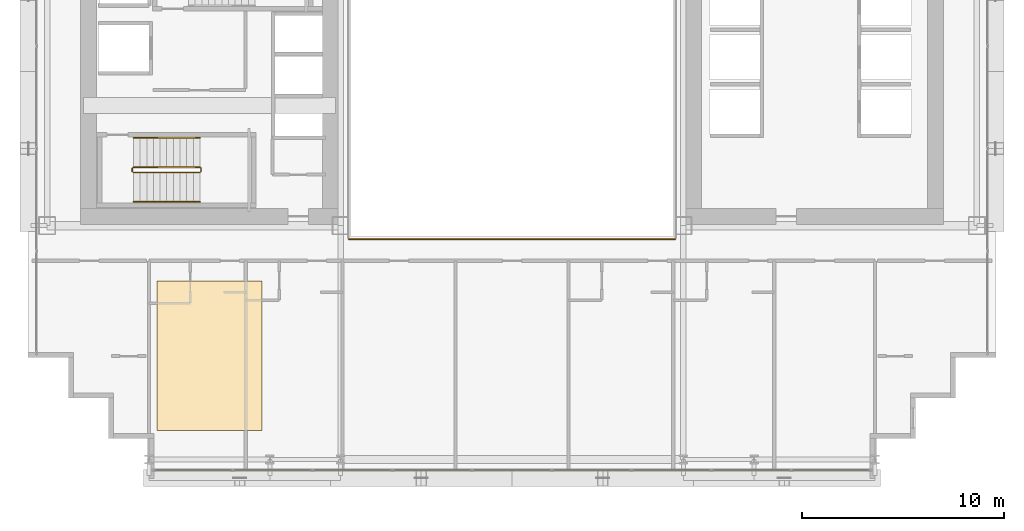
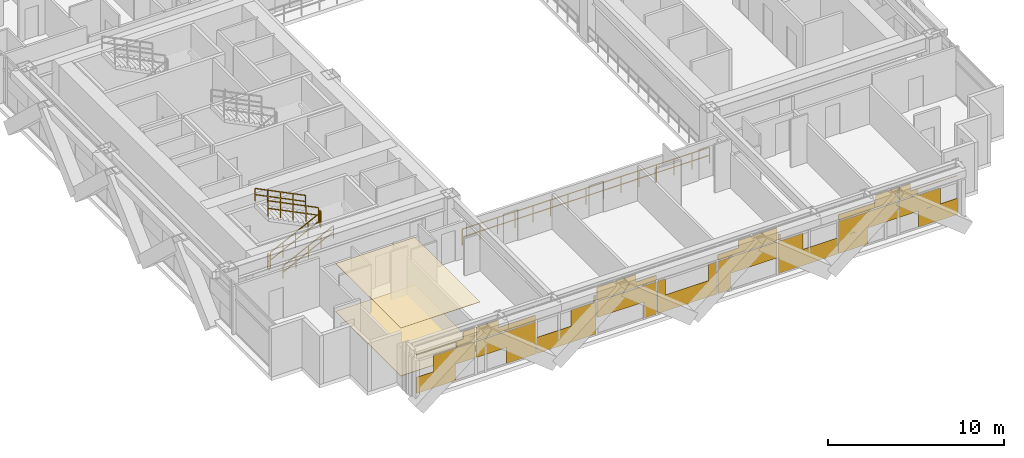
# One storey, part 32 of 35: 7 railings, 3 coverings.
"""IFC4 building model written with IfcOpenShell, lengths in metres."""

import ifcopenshell
import ifcopenshell.guid

model = None  # the IFC model being written
_history = None  # IfcOwnerHistory: only IFC2X3 demands one
_inside = {}  # id of a spatial element -> (the spatial element, [elements in it])
_under = {}  # id of a project, library or spatial element -> (it, [spatial elements below it])
_declared = {}  # id of a project -> (the project, [libraries it declares])
_typed = {}  # id of a type object -> (the type object, [elements of that type])
_made_of = {}  # id of a material, layer set ... -> (it, [elements and type objects made of it])


def new_model(schema):
    """Start an empty IFC model of exactly this schema.

    Asked for "IFC4X3", IfcOpenShell would pick the latest addendum, in which some entities
    have other attributes; the version numbers below select the first issue.
    IFC2X3 requires an IfcOwnerHistory on every rooted entity: one is made here for all.
    """
    global model, _history
    if schema == "IFC4X3":
        model = ifcopenshell.file(schema_version=(4, 3, 0, 0))
    else:
        model = ifcopenshell.file(schema=schema)
    _inside.clear()
    _under.clear()
    _declared.clear()
    _typed.clear()
    _made_of.clear()
    _history = None
    if model.schema == "IFC2X3":
        org = make("IfcOrganization", Name="unknown")
        user = make(
            "IfcPersonAndOrganization",
            ThePerson=make("IfcPerson", FamilyName="unknown"),
            TheOrganization=org,
        )
        app = make(
            "IfcApplication",
            ApplicationDeveloper=org,
            Version="unknown",
            ApplicationFullName="unknown",
            ApplicationIdentifier="unknown",
        )
        _history = make(
            "IfcOwnerHistory",
            OwningUser=user,
            OwningApplication=app,
            ChangeAction="ADDED",
            CreationDate=0,
        )
    return model


def make(cls, **values):
    """One entity of the class cls with the attributes given. An attribute that is None is left unset."""
    return model.create_entity(
        cls, **{name: value for name, value in values.items() if value is not None}
    )


def rooted(cls, **values):
    """An entity with a GlobalId (a new one), such as an element, a storey or a relation."""
    return make(cls, GlobalId=ifcopenshell.guid.new(), OwnerHistory=_history, **values)


def si_unit(unit_type, name, prefix=None):
    """IfcSIUnit, for example si_unit("LENGTHUNIT", "METRE", prefix="MILLI")."""
    return make("IfcSIUnit", UnitType=unit_type, Prefix=prefix, Name=name)


def assignment(units):
    """IfcUnitAssignment: the units of a project."""
    return None if units is None else make("IfcUnitAssignment", Units=units)


def point(xyz):
    """IfcCartesianPoint."""
    return None if xyz is None else make("IfcCartesianPoint", Coordinates=xyz)


def direction(xyz):
    """IfcDirection."""
    return None if xyz is None else make("IfcDirection", DirectionRatios=xyz)


def frame(location, z_axis=None, x_axis=None):
    """IfcAxis2Placement3D, a coordinate frame: its origin and axes. An axis left out is left unset."""
    return make(
        "IfcAxis2Placement3D",
        Location=point(location),
        Axis=direction(z_axis),
        RefDirection=direction(x_axis),
    )


def frame_2d(location, x_axis=None):
    """IfcAxis2Placement2D, a coordinate frame in the plane: its origin and x axis."""
    return make(
        "IfcAxis2Placement2D", Location=point(location), RefDirection=direction(x_axis)
    )


def origin():
    """The frame at (0, 0, 0) with its axes left unset."""
    return frame((0.0, 0.0, 0.0))


def origin_2d():
    """The frame at (0, 0) in the plane with its x axis left unset."""
    return frame_2d((0.0, 0.0))


def place(relative_to, where):
    """IfcLocalPlacement: puts the frame where relative to a parent placement (None: the world)."""
    return make(
        "IfcLocalPlacement", PlacementRelTo=relative_to, RelativePlacement=where
    )


def context(
    kind, dimensions, precision=None, world=None, true_north=None, identifier=None
):
    """IfcGeometricRepresentationContext, for example the 3D "Model" context."""
    return make(
        "IfcGeometricRepresentationContext",
        ContextIdentifier=identifier,
        ContextType=kind,
        CoordinateSpaceDimension=dimensions,
        Precision=precision,
        WorldCoordinateSystem=world,
        TrueNorth=true_north,
    )


def subcontext(parent, identifier, kind, view, scale=None):
    """IfcGeometricRepresentationSubContext, for example "Body" below "Model"."""
    return make(
        "IfcGeometricRepresentationSubContext",
        ContextIdentifier=identifier,
        ContextType=kind,
        ParentContext=parent,
        TargetScale=scale,
        TargetView=view,
    )


def project(units=None, contexts=None):
    """IfcProject with its units and contexts."""
    return rooted(
        "IfcProject",
        Name="project",
        RepresentationContexts=contexts,
        UnitsInContext=assignment(units),
    )


def spatial(cls, under=None, at=None, **own):
    """A site, building, storey or space (cls), placed at a placement, below another one or the project."""
    s = rooted(cls, ObjectPlacement=at, **own)
    if under is not None:
        _under.setdefault(under.id(), (under, []))[1].append(s)
    return s


def polyline(points):
    """IfcPolyline through the points."""
    return make("IfcPolyline", Points=[point(p) for p in points])


def profile(cls, at=None, kind="AREA", **sizes):
    """A parametric profile (cls). Its sizes go by their IFC names, for example OverallWidth=200.0."""
    return make(cls, ProfileType=kind, Position=at, **sizes)


def rectangle(**sizes):
    """IfcRectangleProfileDef."""
    return profile("IfcRectangleProfileDef", **sizes)


def outline(outer, holes=None, kind="AREA"):
    """IfcArbitraryClosedProfileDef: a profile drawn as a closed curve; with holes, ...WithVoids."""
    if holes is None:
        return make("IfcArbitraryClosedProfileDef", ProfileType=kind, OuterCurve=outer)
    return make(
        "IfcArbitraryProfileDefWithVoids",
        ProfileType=kind,
        OuterCurve=outer,
        InnerCurves=holes,
    )


def extrude(swept, where, along, depth):
    """IfcExtrudedAreaSolid: the profile swept, set in the frame where, extruded along a direction by depth."""
    return make(
        "IfcExtrudedAreaSolid",
        SweptArea=swept,
        Position=where,
        ExtrudedDirection=direction(along),
        Depth=depth,
    )


def shape(context_of_items, identifier, shape_type, items):
    """IfcShapeRepresentation: the items that make up one representation, for example the "Body"."""
    return make(
        "IfcShapeRepresentation",
        ContextOfItems=context_of_items,
        RepresentationIdentifier=identifier,
        RepresentationType=shape_type,
        Items=items,
    )


def material(Name=None, Category=None):
    """IfcMaterial."""
    return make("IfcMaterial", Name=Name, Category=Category)


def layer(
    of_material, thickness, ventilated=None, Name=None, Category=None, Priority=None
):
    """IfcMaterialLayer: one layer of a wall or slab, of a material (None: an air gap)."""
    return make(
        "IfcMaterialLayer",
        Material=of_material,
        LayerThickness=thickness,
        IsVentilated=ventilated,
        Name=Name,
        Category=Category,
        Priority=Priority,
    )


def layer_set(layers, Name=None):
    """IfcMaterialLayerSet."""
    return make("IfcMaterialLayerSet", MaterialLayers=layers, LayerSetName=Name)


def made_of(thing, what):
    """Note that an element or type object is made of a material, layer set ...; save() writes the relation."""
    if what is not None:
        _made_of.setdefault(what.id(), (what, []))[1].append(thing)
    return thing


def type_object(cls, material=None, **own):
    """A type object (cls), such as IfcWallType, which elements share."""
    return made_of(rooted(cls, **own), material)


def element(
    cls,
    number,
    at=None,
    inside=None,
    cuts=None,
    type_object=None,
    material=None,
    context=None,
    identifier="Body",
    shape_type=None,
    held_by="IfcProductDefinitionShape",
    body=None,
    shapes=None,
    **own,
):
    """One element of the class cls, such as IfcWall. Its Tag is "e" and its number.

    at: its placement. inside: the storey or other place that contains it. cuts: it is an
    opening in that element (IfcRelVoidsElement). A single representation is given by context,
    identifier, shape_type and body (its items); several are given by shapes. held_by: the class
    of the entity that holds the representations. save() writes the other relations.
    """
    e = rooted(cls, Tag="e%d" % number, ObjectPlacement=at, **own)
    if body is not None:
        shapes = [shape(context, identifier, shape_type, body)]
    if shapes is not None:
        e.Representation = make(held_by, Representations=shapes)
    if inside is not None:
        _inside.setdefault(inside.id(), (inside, []))[1].append(e)
    if cuts is not None:
        rooted(
            "IfcRelVoidsElement", RelatingBuildingElement=cuts, RelatedOpeningElement=e
        )
    if type_object is not None:
        _typed.setdefault(type_object.id(), (type_object, []))[1].append(e)
    return made_of(e, material)


def aggregate(whole, parts):
    """IfcRelAggregates: a whole, such as a stair, and the parts it consists of."""
    return rooted("IfcRelAggregates", RelatingObject=whole, RelatedObjects=parts)


def save(model, path):
    """Write the relations noted so far, then the file.

    IfcRelAggregates (storeys below a building ...), IfcRelContainedInSpatialStructure (elements
    in a storey), IfcRelDefinesByType, IfcRelAssociatesMaterial and IfcRelDeclares: one each for
    every whole, place, type object, material and project.
    """
    for whole, parts in _under.values():
        aggregate(whole, parts)
    for where, things in _inside.values():
        rooted(
            "IfcRelContainedInSpatialStructure",
            RelatedElements=things,
            RelatingStructure=where,
        )
    for kind, things in _typed.values():
        rooted("IfcRelDefinesByType", RelatedObjects=things, RelatingType=kind)
    for what, things in _made_of.values():
        rooted("IfcRelAssociatesMaterial", RelatedObjects=things, RelatingMaterial=what)
    for by, libraries in _declared.values():
        rooted("IfcRelDeclares", RelatingContext=by, RelatedDefinitions=libraries)
    model.write(path)


model = new_model("IFC4")

# Units and contexts
model_context = context("Model", 3, precision=1e-05, world=origin(), true_north=direction((0.0, 1.0)))
body_context = subcontext(model_context, "Body", "Model", "MODEL_VIEW")
ifc_project = project(units=[si_unit("LENGTHUNIT", "METRE"), si_unit("AREAUNIT", "SQUARE_METRE"), si_unit("VOLUMEUNIT", "CUBIC_METRE"), si_unit("PLANEANGLEUNIT", "RADIAN"), si_unit("MASSUNIT", "GRAM", prefix="KILO")], contexts=[model_context])

# Site, building, storey
site_placement = place(None, origin())
site = spatial("IfcSite", under=ifc_project, at=site_placement, CompositionType="ELEMENT")
building_placement = place(site_placement, origin())
building = spatial("IfcBuilding", under=site, at=building_placement, Name="Ocotamira Hotel", CompositionType="ELEMENT")
storey_placement = place(building_placement, frame((0.0, 0.0, 70.800048828125)))
storey = spatial("IfcBuildingStorey", under=building, at=storey_placement, Name="L17", CompositionType="ELEMENT", Elevation=70.800048828125)

# Coverings
ifc_material_1 = material(Name="Perforated acoustic gypsum ceiling board", Category="gypsum")
ifc_layer_1 = layer(ifc_material_1, 0.02490234375)
ifc_layer_set_1 = layer_set([ifc_layer_1], Name="Perforated acoustic gypsum ceiling board")
covering_type_1 = type_object("IfcCoveringType", Name="COV-CEIL-25", PredefinedType="CEILING", material=ifc_layer_set_1)
covering_1_placement = place(storey_placement, frame((0.0, 0.0, 3.324951171875)))
element("IfcCovering", 1, at=covering_1_placement, inside=storey, type_object=covering_type_1, Name="L17 Acoustic Ceiling", PredefinedType="CEILING", context=body_context, shape_type="SweptSolid", body=[
    extrude(outline(polyline([(14.39990234375, 4.39990234375), (19.60009765625, 4.39990234375), (19.60009765625, 11.800048828125), (14.39990234375, 11.800048828125), (14.39990234375, 4.39990234375)])), origin(), (0.0, 0.0, 1.0), 0.02490234375),
])
ifc_material_2 = material(Name="Honed desert travertine stone flooring", Category="masonry")
ifc_layer_2 = layer(ifc_material_2, 0.030029296875)
ifc_layer_set_2 = layer_set([ifc_layer_2], Name="Honed desert travertine stone flooring")
covering_type_2 = type_object("IfcCoveringType", Name="COV-FLOR-30", PredefinedType="FLOORING", material=ifc_layer_set_2)
covering_2_placement = place(storey_placement, origin())
element("IfcCovering", 2, at=covering_2_placement, inside=storey, type_object=covering_type_2, Name="L17 Honed Stone Floor Finish", PredefinedType="FLOORING", context=body_context, shape_type="SweptSolid", body=[
    extrude(outline(polyline([(14.39990234375, 4.39990234375), (19.60009765625, 4.39990234375), (19.60009765625, 11.800048828125), (14.39990234375, 11.800048828125), (14.39990234375, 4.39990234375)])), origin(), (0.0, 0.0, 1.0), 0.030029296875),
])
ifc_material_3 = material(Name="Insulated pale-metal aluminium spandrel panel", Category="aluminium")
ifc_layer_3 = layer(ifc_material_3, 0.044921875)
ifc_layer_set_3 = layer_set([ifc_layer_3], Name="Insulated pale-metal aluminium spandrel panel")
covering_type_3 = type_object("IfcCoveringType", Name="COV-INFILL-45", PredefinedType="CLADDING", material=ifc_layer_set_3)
covering_3_placement = place(storey_placement, origin())
element("IfcCovering", 3, at=covering_3_placement, inside=storey, type_object=covering_type_3, Name="L17 Curtain Wall Infill CW-2 CW-L17-S1", PredefinedType="CLADDING", context=body_context, shape_type="SweptSolid", body=[
    extrude(rectangle(XDim=2.556396484375, YDim=0.044921875, at=origin_2d()), frame((15.558837890625, 2.419921875, 0.0751953125), z_axis=(0.0, 0.0, 1.0), x_axis=(1.0, 0.0, 0.0)), (0.0, 0.0, 1.0), 1.117919921875),
    extrude(rectangle(XDim=2.7177734375, YDim=0.044921875, at=origin_2d()), frame((16.756103515625, 2.419921875, 1.194091796875), z_axis=(0.0, 0.0, 1.0), x_axis=(1.0, 0.0, 0.0)), (0.0, 0.0, 1.0), 1.11767578125),
    extrude(rectangle(XDim=3.834716796875, YDim=0.044921875, at=origin_2d()), frame((16.19775390625, 2.419921875, 2.7333984375), z_axis=(0.0, 0.0, 1.0), x_axis=(1.0, 0.0, 0.0)), (0.0, 0.0, 1.0), 0.0302734375),
    extrude(rectangle(XDim=1.2255859375, YDim=0.044921875, at=origin_2d()), frame((17.502197265625, 2.419921875, 2.3876953125), z_axis=(0.0, 0.0, 1.0), x_axis=(1.0, 0.0, 0.0)), (0.0, 0.0, 1.0), 0.344482421875),
    extrude(rectangle(XDim=0.754638671875, YDim=0.044921875, at=origin_2d()), frame((17.73779296875, 2.419921875, 2.7646484375), z_axis=(0.0, 0.0, 1.0), x_axis=(1.0, 0.0, 0.0)), (0.0, 0.0, 1.0), 0.509765625),
    extrude(rectangle(XDim=3.87451171875, YDim=0.044921875, at=origin_2d()), frame((20.13330078125, 2.419921875, 1.194091796875), z_axis=(0.0, 0.0, 1.0), x_axis=(1.0, 0.0, 0.0)), (0.0, 0.0, 1.0), 1.11767578125),
    extrude(rectangle(XDim=1.90771484375, YDim=0.044921875, at=origin_2d()), frame((21.11669921875, 2.419921875, 0.0751953125), z_axis=(0.0, 0.0, 1.0), x_axis=(1.0, 0.0, 0.0)), (0.0, 0.0, 1.0), 1.117919921875),
    extrude(rectangle(XDim=3.87451171875, YDim=0.044921875, at=origin_2d()), frame((20.13330078125, 2.419921875, 2.38818359375), z_axis=(0.0, 0.0, 1.0), x_axis=(1.0, 0.0, 0.0)), (0.0, 0.0, 1.0), 0.375732421875),
    extrude(rectangle(XDim=1.443603515625, YDim=0.044921875, at=origin_2d()), frame((18.917724609375, 2.419921875, 2.7646484375), z_axis=(0.0, 0.0, 1.0), x_axis=(1.0, 0.0, 0.0)), (0.0, 0.0, 1.0), 0.509765625),
    extrude(rectangle(XDim=3.87451171875, YDim=0.044921875, at=origin_2d()), frame((24.0888671875, 2.419921875, 0.0751953125), z_axis=(0.0, 0.0, 1.0), x_axis=(1.0, 0.0, 0.0)), (0.0, 0.0, 1.0), 1.117919921875),
    extrude(rectangle(XDim=1.62890625, YDim=0.044921875, at=origin_2d()), frame((25.2119140625, 2.419921875, 1.194091796875), z_axis=(0.0, 0.0, 1.0), x_axis=(1.0, 0.0, 0.0)), (0.0, 0.0, 1.0), 1.11767578125),
    extrude(rectangle(XDim=0.13671875, YDim=0.044921875, at=origin_2d()), frame((25.957763671875, 2.419921875, 2.38818359375), z_axis=(0.0, 0.0, 1.0), x_axis=(1.0, 0.0, 0.0)), (0.0, 0.0, 1.0), 0.375732421875),
    extrude(rectangle(XDim=3.87451171875, YDim=0.044921875, at=origin_2d()), frame((28.04443359375, 2.419921875, 1.194091796875), z_axis=(0.0, 0.0, 1.0), x_axis=(1.0, 0.0, 0.0)), (0.0, 0.0, 1.0), 1.11767578125),
    extrude(rectangle(XDim=0.81884765625, YDim=0.044921875, at=origin_2d()), frame((29.572265625, 2.419921875, 0.0751953125), z_axis=(0.0, 0.0, 1.0), x_axis=(1.0, 0.0, 0.0)), (0.0, 0.0, 1.0), 1.117919921875),
    extrude(rectangle(XDim=3.87451171875, YDim=0.044921875, at=origin_2d()), frame((28.04443359375, 2.419921875, 2.38818359375), z_axis=(0.0, 0.0, 1.0), x_axis=(1.0, 0.0, 0.0)), (0.0, 0.0, 1.0), 0.375732421875),
    extrude(rectangle(XDim=2.532470703125, YDim=0.044921875, at=origin_2d()), frame((27.373291015625, 2.419921875, 2.7646484375), z_axis=(0.0, 0.0, 1.0), x_axis=(1.0, 0.0, 0.0)), (0.0, 0.0, 1.0), 0.509765625),
    extrude(rectangle(XDim=3.87451171875, YDim=0.044921875, at=origin_2d()), frame((32.0, 2.419921875, 0.0751953125), z_axis=(0.0, 0.0, 1.0), x_axis=(1.0, 0.0, 0.0)), (0.0, 0.0, 1.0), 1.117919921875),
    extrude(rectangle(XDim=0.539794921875, YDim=0.044921875, at=origin_2d()), frame((30.332763671875, 2.419921875, 1.194091796875), z_axis=(0.0, 0.0, 1.0), x_axis=(1.0, 0.0, 0.0)), (0.0, 0.0, 1.0), 1.11767578125),
    extrude(rectangle(XDim=0.539794921875, YDim=0.044921875, at=origin_2d()), frame((33.667236328125, 2.419921875, 1.194091796875), z_axis=(0.0, 0.0, 1.0), x_axis=(1.0, 0.0, 0.0)), (0.0, 0.0, 1.0), 1.11767578125),
    extrude(rectangle(XDim=0.81884765625, YDim=0.044921875, at=origin_2d()), frame((34.427734375, 2.419921875, 0.0751953125), z_axis=(0.0, 0.0, 1.0), x_axis=(1.0, 0.0, 0.0)), (0.0, 0.0, 1.0), 1.117919921875),
    extrude(rectangle(XDim=3.87451171875, YDim=0.044921875, at=origin_2d()), frame((35.95556640625, 2.419921875, 1.194091796875), z_axis=(0.0, 0.0, 1.0), x_axis=(1.0, 0.0, 0.0)), (0.0, 0.0, 1.0), 1.11767578125),
    extrude(rectangle(XDim=3.87451171875, YDim=0.044921875, at=origin_2d()), frame((35.95556640625, 2.419921875, 2.38818359375), z_axis=(0.0, 0.0, 1.0), x_axis=(1.0, 0.0, 0.0)), (0.0, 0.0, 1.0), 0.375732421875),
    extrude(rectangle(XDim=2.532470703125, YDim=0.044921875, at=origin_2d()), frame((36.626708984375, 2.419921875, 2.7646484375), z_axis=(0.0, 0.0, 1.0), x_axis=(1.0, 0.0, 0.0)), (0.0, 0.0, 1.0), 0.509765625),
    extrude(rectangle(XDim=3.87451171875, YDim=0.044921875, at=origin_2d()), frame((39.9111328125, 2.419921875, 0.0751953125), z_axis=(0.0, 0.0, 1.0), x_axis=(1.0, 0.0, 0.0)), (0.0, 0.0, 1.0), 1.117919921875),
    extrude(rectangle(XDim=1.62890625, YDim=0.044921875, at=origin_2d()), frame((38.7880859375, 2.419921875, 1.194091796875), z_axis=(0.0, 0.0, 1.0), x_axis=(1.0, 0.0, 0.0)), (0.0, 0.0, 1.0), 1.11767578125),
    extrude(rectangle(XDim=0.13671875, YDim=0.044921875, at=origin_2d()), frame((38.042236328125, 2.419921875, 2.38818359375), z_axis=(0.0, 0.0, 1.0), x_axis=(1.0, 0.0, 0.0)), (0.0, 0.0, 1.0), 0.375732421875),
    extrude(rectangle(XDim=1.90771484375, YDim=0.044921875, at=origin_2d()), frame((42.88330078125, 2.419921875, 0.0751953125), z_axis=(0.0, 0.0, 1.0), x_axis=(1.0, 0.0, 0.0)), (0.0, 0.0, 1.0), 1.117919921875),
    extrude(rectangle(XDim=3.87451171875, YDim=0.044921875, at=origin_2d()), frame((43.86669921875, 2.419921875, 1.194091796875), z_axis=(0.0, 0.0, 1.0), x_axis=(1.0, 0.0, 0.0)), (0.0, 0.0, 1.0), 1.11767578125),
    extrude(rectangle(XDim=3.87451171875, YDim=0.044921875, at=origin_2d()), frame((43.86669921875, 2.419921875, 2.38818359375), z_axis=(0.0, 0.0, 1.0), x_axis=(1.0, 0.0, 0.0)), (0.0, 0.0, 1.0), 0.375732421875),
    extrude(rectangle(XDim=1.443603515625, YDim=0.044921875, at=origin_2d()), frame((45.082275390625, 2.419921875, 2.7646484375), z_axis=(0.0, 0.0, 1.0), x_axis=(1.0, 0.0, 0.0)), (0.0, 0.0, 1.0), 0.509765625),
    extrude(rectangle(XDim=2.7177734375, YDim=0.044921875, at=origin_2d()), frame((47.243896484375, 2.419921875, 1.194091796875), z_axis=(0.0, 0.0, 1.0), x_axis=(1.0, 0.0, 0.0)), (0.0, 0.0, 1.0), 1.11767578125),
    extrude(rectangle(XDim=2.556396484375, YDim=0.044921875, at=origin_2d()), frame((48.441162109375, 2.419921875, 0.0751953125), z_axis=(0.0, 0.0, 1.0), x_axis=(1.0, 0.0, 0.0)), (0.0, 0.0, 1.0), 1.117919921875),
    extrude(rectangle(XDim=1.2255859375, YDim=0.044921875, at=origin_2d()), frame((46.497802734375, 2.419921875, 2.3876953125), z_axis=(0.0, 0.0, 1.0), x_axis=(1.0, 0.0, 0.0)), (0.0, 0.0, 1.0), 0.344482421875),
    extrude(rectangle(XDim=3.834716796875, YDim=0.044921875, at=origin_2d()), frame((47.80224609375, 2.419921875, 2.7333984375), z_axis=(0.0, 0.0, 1.0), x_axis=(1.0, 0.0, 0.0)), (0.0, 0.0, 1.0), 0.0302734375),
    extrude(rectangle(XDim=0.754638671875, YDim=0.044921875, at=origin_2d()), frame((46.26220703125, 2.419921875, 2.7646484375), z_axis=(0.0, 0.0, 1.0), x_axis=(1.0, 0.0, 0.0)), (0.0, 0.0, 1.0), 0.509765625),
])

# Railings
ifc_material_4 = material(Name="Painted steel stair guardrail", Category="steel")
railing_type_1 = type_object("IfcRailingType", Name="RL-EDGE-1150", PredefinedType="GUARDRAIL", material=ifc_material_4)
railing_1_placement = place(storey_placement, frame((23.89990234375, 13.8798828125, 0.0)))
element("IfcRailing", 4, at=railing_1_placement, inside=storey, type_object=railing_type_1, Name="L17 Central Atrium Edge Guardrail S", PredefinedType="GUARDRAIL", context=body_context, shape_type="SweptSolid", body=[
    extrude(rectangle(XDim=0.048095703125, YDim=0.048095703125, at=origin_2d()), frame((0.0, 0.0, 1.1259765625), z_axis=(1.0, 0.0, 0.0), x_axis=(0.0, 1.0, 0.0)), (0.0, 0.0, 1.0), 16.2001953125),
    extrude(rectangle(XDim=0.048095703125, YDim=0.048095703125, at=origin_2d()), frame((0.0, 0.0, 0.574951171875), z_axis=(1.0, 0.0, 0.0), x_axis=(0.0, 1.0, 0.0)), (0.0, 0.0, 1.0), 16.2001953125),
    extrude(rectangle(XDim=0.0419921875, YDim=0.0419921875, at=origin_2d()), origin(), (0.0, 0.0, 1.0), 1.101806640625),
    extrude(rectangle(XDim=0.0419921875, YDim=0.0419921875, at=origin_2d()), frame((1.1572265625, 0.0, 0.0)), (0.0, 0.0, 1.0), 1.101806640625),
    extrude(rectangle(XDim=0.0419921875, YDim=0.0419921875, at=origin_2d()), frame((2.314208984375, 0.0, 0.0)), (0.0, 0.0, 1.0), 1.101806640625),
    extrude(rectangle(XDim=0.0419921875, YDim=0.0419921875, at=origin_2d()), frame((3.471435546875, 0.0, 0.0)), (0.0, 0.0, 1.0), 1.101806640625),
    extrude(rectangle(XDim=0.0419921875, YDim=0.0419921875, at=origin_2d()), frame((4.628662109375, 0.0, 0.0)), (0.0, 0.0, 1.0), 1.101806640625),
    extrude(rectangle(XDim=0.0419921875, YDim=0.0419921875, at=origin_2d()), frame((5.785888671875, 0.0, 0.0)), (0.0, 0.0, 1.0), 1.101806640625),
    extrude(rectangle(XDim=0.0419921875, YDim=0.0419921875, at=origin_2d()), frame((6.94287109375, 0.0, 0.0)), (0.0, 0.0, 1.0), 1.101806640625),
    extrude(rectangle(XDim=0.0419921875, YDim=0.0419921875, at=origin_2d()), frame((8.10009765625, 0.0, 0.0)), (0.0, 0.0, 1.0), 1.101806640625),
    extrude(rectangle(XDim=0.0419921875, YDim=0.0419921875, at=origin_2d()), frame((9.25732421875, 0.0, 0.0)), (0.0, 0.0, 1.0), 1.101806640625),
    extrude(rectangle(XDim=0.0419921875, YDim=0.0419921875, at=origin_2d()), frame((10.414306640625, 0.0, 0.0)), (0.0, 0.0, 1.0), 1.101806640625),
    extrude(rectangle(XDim=0.0419921875, YDim=0.0419921875, at=origin_2d()), frame((11.571533203125, 0.0, 0.0)), (0.0, 0.0, 1.0), 1.101806640625),
    extrude(rectangle(XDim=0.0419921875, YDim=0.0419921875, at=origin_2d()), frame((12.728759765625, 0.0, 0.0)), (0.0, 0.0, 1.0), 1.101806640625),
    extrude(rectangle(XDim=0.0419921875, YDim=0.0419921875, at=origin_2d()), frame((13.885986328125, 0.0, 0.0)), (0.0, 0.0, 1.0), 1.101806640625),
    extrude(rectangle(XDim=0.0419921875, YDim=0.0419921875, at=origin_2d()), frame((15.04296875, 0.0, 0.0)), (0.0, 0.0, 1.0), 1.101806640625),
    extrude(rectangle(XDim=0.0419921875, YDim=0.0419921875, at=origin_2d()), frame((16.2001953125, 0.0, 0.0)), (0.0, 0.0, 1.0), 1.101806640625),
])
ifc_material_5 = material(Name="Brushed stainless steel handrail", Category="steel")
railing_type_2 = type_object("IfcRailingType", Name="RL-HAND-900", PredefinedType="HANDRAIL", material=ifc_material_5)
railing_2_placement = place(storey_placement, frame((13.22998046875, 15.719970703125, 0.3271484375)))
element("IfcRailing", 5, at=railing_2_placement, inside=storey, type_object=railing_type_2, Name="L17 ST-1 stair handrail 1", PredefinedType="HANDRAIL", context=body_context, shape_type="SweptSolid", body=[
    extrude(rectangle(XDim=0.048095703125, YDim=0.048095703125, at=origin_2d()), frame((0.0, 0.0, 0.8759765625), z_axis=(0.895893744519, 0.0, 0.4442683857), x_axis=(0.0, 1.0, 0.0)), (0.0, 0.0, 1.0), 3.68359375),
    extrude(rectangle(XDim=0.048095703125, YDim=0.048095703125, at=origin_2d()), frame((0.0, 0.0, 0.449951171875), z_axis=(0.895893744519, 0.0, 0.4442683857), x_axis=(0.0, 1.0, 0.0)), (0.0, 0.0, 1.0), 3.68359375),
    extrude(rectangle(XDim=0.0419921875, YDim=0.0419921875, at=origin_2d()), origin(), (0.0, 0.0, 1.0), 0.851806640625),
    extrude(rectangle(XDim=0.0419921875, YDim=0.0419921875, at=origin_2d()), frame((0.824951171875, 0.0, 0.4091796875)), (0.0, 0.0, 1.0), 0.851806640625),
    extrude(rectangle(XDim=0.0419921875, YDim=0.0419921875, at=origin_2d()), frame((1.64990234375, 0.0, 0.818359375)), (0.0, 0.0, 1.0), 0.851806640625),
    extrude(rectangle(XDim=0.0419921875, YDim=0.0419921875, at=origin_2d()), frame((2.47509765625, 0.0, 1.227294921875)), (0.0, 0.0, 1.0), 0.851806640625),
    extrude(rectangle(XDim=0.0419921875, YDim=0.0419921875, at=origin_2d()), frame((3.300048828125, 0.0, 1.636474609375)), (0.0, 0.0, 1.0), 0.851806640625),
])
railing_3_placement = place(storey_placement, frame((16.530029296875, 18.89990234375, 2.127197265625)))
element("IfcRailing", 6, at=railing_3_placement, inside=storey, type_object=railing_type_2, Name="L17 ST-1 stair handrail 2", PredefinedType="HANDRAIL", context=body_context, shape_type="SweptSolid", body=[
    extrude(rectangle(XDim=0.048095703125, YDim=0.048095703125, at=origin_2d()), frame((0.0, 0.0, 0.8759765625), z_axis=(-0.895893744519, 0.0, 0.4442683857), x_axis=(0.0, -1.0, 0.0)), (0.0, 0.0, 1.0), 3.68359375),
    extrude(rectangle(XDim=0.048095703125, YDim=0.048095703125, at=origin_2d()), frame((0.0, 0.0, 0.449951171875), z_axis=(-0.895893744519, 0.0, 0.4442683857), x_axis=(0.0, -1.0, 0.0)), (0.0, 0.0, 1.0), 3.68359375),
    extrude(rectangle(XDim=0.0419921875, YDim=0.0419921875, at=origin_2d()), origin(), (0.0, 0.0, 1.0), 0.851806640625),
    extrude(rectangle(XDim=0.0419921875, YDim=0.0419921875, at=origin_2d()), frame((-0.824951171875, 0.0, 0.4091796875)), (0.0, 0.0, 1.0), 0.851806640625),
    extrude(rectangle(XDim=0.0419921875, YDim=0.0419921875, at=origin_2d()), frame((-1.64990234375, 0.0, 0.818359375)), (0.0, 0.0, 1.0), 0.851806640625),
    extrude(rectangle(XDim=0.0419921875, YDim=0.0419921875, at=origin_2d()), frame((-2.47509765625, 0.0, 1.227294921875)), (0.0, 0.0, 1.0), 0.851806640625),
    extrude(rectangle(XDim=0.0419921875, YDim=0.0419921875, at=origin_2d()), frame((-3.300048828125, 0.0, 1.636474609375)), (0.0, 0.0, 1.0), 0.851806640625),
])
railing_type_3 = type_object("IfcRailingType", Name="RL-STAIR-1100", PredefinedType="GUARDRAIL", material=ifc_material_4)
railing_4_placement = place(storey_placement, frame((13.22998046875, 17.179931640625, 0.16357421875)))
element("IfcRailing", 7, at=railing_4_placement, inside=storey, type_object=railing_type_3, Name="L17 ST-1 stair guard 1", PredefinedType="GUARDRAIL", context=body_context, shape_type="SweptSolid", body=[
    extrude(rectangle(XDim=0.048095703125, YDim=0.048095703125, at=origin_2d()), frame((0.0, 0.0, 1.076171875), z_axis=(0.895893744519, 0.0, 0.4442683857), x_axis=(0.0, 1.0, 0.0)), (0.0, 0.0, 1.0), 3.68359375),
    extrude(rectangle(XDim=0.048095703125, YDim=0.048095703125, at=origin_2d()), frame((0.0, 0.0, 0.550048828125), z_axis=(0.895893744519, 0.0, 0.4442683857), x_axis=(0.0, 1.0, 0.0)), (0.0, 0.0, 1.0), 3.68359375),
    extrude(rectangle(XDim=0.0419921875, YDim=0.0419921875, at=origin_2d()), origin(), (0.0, 0.0, 1.0), 1.052001953125),
    extrude(rectangle(XDim=0.0419921875, YDim=0.0419921875, at=origin_2d()), frame((0.824951171875, 0.0, 0.4091796875)), (0.0, 0.0, 1.0), 1.052001953125),
    extrude(rectangle(XDim=0.0419921875, YDim=0.0419921875, at=origin_2d()), frame((1.64990234375, 0.0, 0.818359375)), (0.0, 0.0, 1.0), 1.052001953125),
    extrude(rectangle(XDim=0.0419921875, YDim=0.0419921875, at=origin_2d()), frame((2.47509765625, 0.0, 1.227294921875)), (0.0, 0.0, 1.0), 1.052001953125),
    extrude(rectangle(XDim=0.0419921875, YDim=0.0419921875, at=origin_2d()), frame((3.300048828125, 0.0, 1.636474609375)), (0.0, 0.0, 1.0), 1.052001953125),
])
railing_5_placement = place(storey_placement, frame((16.580078125, 17.22998046875, 1.800048828125)))
element("IfcRailing", 8, at=railing_5_placement, inside=storey, type_object=railing_type_3, Name="L17 ST-1 stair guard 2", PredefinedType="GUARDRAIL", context=body_context, shape_type="SweptSolid", body=[
    extrude(rectangle(XDim=0.048095703125, YDim=0.048095703125, at=origin_2d()), frame((0.0, 0.0, 1.076171875), z_axis=(0.0, 1.0, 0.0), x_axis=(-1.0, 0.0, 0.0)), (0.0, 0.0, 1.0), 0.159912109375),
    extrude(rectangle(XDim=0.048095703125, YDim=0.048095703125, at=origin_2d()), frame((0.0, 0.0, 0.550048828125), z_axis=(0.0, 1.0, 0.0), x_axis=(-1.0, 0.0, 0.0)), (0.0, 0.0, 1.0), 0.159912109375),
    extrude(rectangle(XDim=0.0419921875, YDim=0.0419921875, at=origin_2d()), origin(), (0.0, 0.0, 1.0), 1.052001953125),
    extrude(rectangle(XDim=0.0419921875, YDim=0.0419921875, at=origin_2d()), frame((0.0, 0.159912109375, 0.0)), (0.0, 0.0, 1.0), 1.052001953125),
])
railing_6_placement = place(storey_placement, frame((16.530029296875, 17.43994140625, 1.963623046875)))
element("IfcRailing", 9, at=railing_6_placement, inside=storey, type_object=railing_type_3, Name="L17 ST-1 stair guard 3", PredefinedType="GUARDRAIL", context=body_context, shape_type="SweptSolid", body=[
    extrude(rectangle(XDim=0.048095703125, YDim=0.048095703125, at=origin_2d()), frame((0.0, 0.0, 1.076171875), z_axis=(-0.895920123917, 0.0, 0.444215186098), x_axis=(0.0, -1.0, 0.0)), (0.0, 0.0, 1.0), 3.683349609375),
    extrude(rectangle(XDim=0.048095703125, YDim=0.048095703125, at=origin_2d()), frame((0.0, 0.0, 0.550048828125), z_axis=(-0.895920123917, 0.0, 0.444215186098), x_axis=(0.0, -1.0, 0.0)), (0.0, 0.0, 1.0), 3.683349609375),
    extrude(rectangle(XDim=0.0419921875, YDim=0.0419921875, at=origin_2d()), origin(), (0.0, 0.0, 1.0), 1.052001953125),
    extrude(rectangle(XDim=0.0419921875, YDim=0.0419921875, at=origin_2d()), frame((-0.824951171875, 0.0, 0.4091796875)), (0.0, 0.0, 1.0), 1.052001953125),
    extrude(rectangle(XDim=0.0419921875, YDim=0.0419921875, at=origin_2d()), frame((-1.64990234375, 0.0, 0.818115234375)), (0.0, 0.0, 1.0), 1.052001953125),
    extrude(rectangle(XDim=0.0419921875, YDim=0.0419921875, at=origin_2d()), frame((-2.47509765625, 0.0, 1.22705078125)), (0.0, 0.0, 1.0), 1.052001953125),
    extrude(rectangle(XDim=0.0419921875, YDim=0.0419921875, at=origin_2d()), frame((-3.300048828125, 0.0, 1.63623046875)), (0.0, 0.0, 1.0), 1.052001953125),
])
railing_7_placement = place(storey_placement, frame((13.179931640625, 17.22998046875, 0.0)))
element("IfcRailing", 10, at=railing_7_placement, inside=storey, type_object=railing_type_3, Name="L17 ST-1 stair guard 4", PredefinedType="GUARDRAIL", context=body_context, shape_type="SweptSolid", body=[
    extrude(rectangle(XDim=0.048095703125, YDim=0.048095703125, at=origin_2d()), frame((0.0, 0.0, 1.076171875), z_axis=(0.0, 1.0, 0.0), x_axis=(-1.0, 0.0, 0.0)), (0.0, 0.0, 1.0), 0.159912109375),
    extrude(rectangle(XDim=0.048095703125, YDim=0.048095703125, at=origin_2d()), frame((0.0, 0.0, 0.550048828125), z_axis=(0.0, 1.0, 0.0), x_axis=(-1.0, 0.0, 0.0)), (0.0, 0.0, 1.0), 0.159912109375),
    extrude(rectangle(XDim=0.0419921875, YDim=0.0419921875, at=origin_2d()), origin(), (0.0, 0.0, 1.0), 1.052001953125),
    extrude(rectangle(XDim=0.0419921875, YDim=0.0419921875, at=origin_2d()), frame((0.0, 0.159912109375, 0.0)), (0.0, 0.0, 1.0), 1.052001953125),
])

save(model, "model.ifc")
